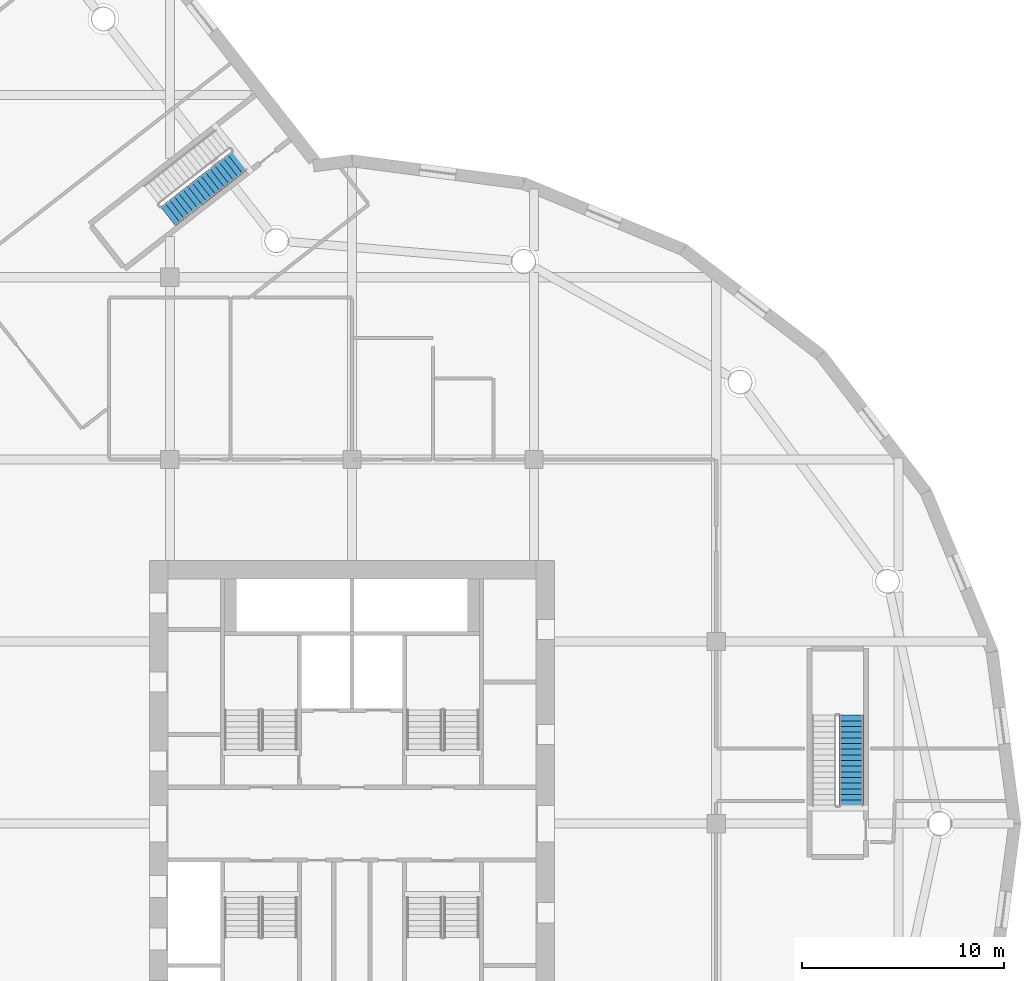
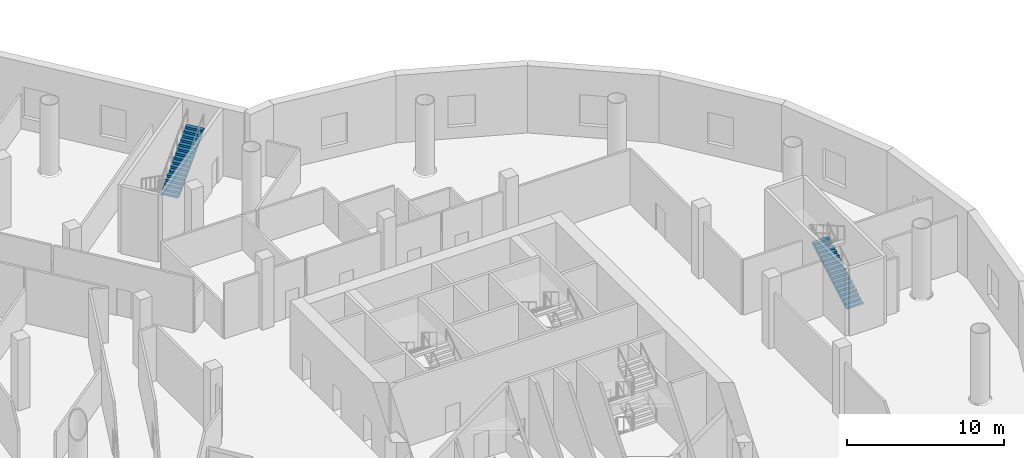
# One storey, part 17 of 23: 2 stair flights, 2 elements without a shape of their own.
"""IFC4 building model written with IfcOpenShell, lengths in metres."""

from ifc_helpers import new_model, si_unit, direction, frame, origin, place, context, subcontext, project, spatial, faceted_brep, material, type_object, element, aggregate, save


model = new_model("IFC4")

# Units and contexts
model_context = context("Model", 3, precision=1e-05, world=origin(), true_north=direction((0.0, 1.0)))
body_context = subcontext(model_context, "Body", "Model", "MODEL_VIEW")
ifc_project = project(units=[si_unit("LENGTHUNIT", "METRE"), si_unit("AREAUNIT", "SQUARE_METRE"), si_unit("VOLUMEUNIT", "CUBIC_METRE"), si_unit("PLANEANGLEUNIT", "RADIAN"), si_unit("MASSUNIT", "GRAM", prefix="KILO")], contexts=[model_context])

# Site, building, storey
site_placement = place(None, origin())
site = spatial("IfcSite", under=ifc_project, at=site_placement, CompositionType="ELEMENT")
building_placement = place(site_placement, origin())
building = spatial("IfcBuilding", under=site, at=building_placement, Name="Tarsis Ring Headquarters", CompositionType="ELEMENT")
storey_placement = place(building_placement, frame((0.0, 0.0, 14.0)))
storey = spatial("IfcBuildingStorey", under=building, at=storey_placement, Name="L02", CompositionType="ELEMENT", Elevation=14.0)

# Stair, stair flight
ifc_material = material(Name="Concrete C40/50", Category="concrete")
stair_type = type_object("IfcStairType", Name="PO-ST", PredefinedType="HALF_TURN_STAIR", material=ifc_material)
stair_1_placement = place(storey_placement, origin())
stair_1 = element("IfcStair", 1, at=stair_1_placement, inside=storey, type_object=stair_type, Name="L02 Podium stair", PredefinedType="HALF_TURN_STAIR")
stair_flight_type = type_object("IfcStairFlightType", Name="PO-STF", PredefinedType="STRAIGHT", material=ifc_material)
stair_flight_1_placement = place(storey_placement, frame((24.675048828125, 0.8798828125, 0.0), z_axis=(0.0, 0.0, 1.0), x_axis=(0.0, 1.0, 0.0)))
stair_flight_1 = element("IfcStairFlight", 2, at=stair_flight_1_placement, type_object=stair_flight_type, Name="Stair PS1 flight 1", NumberOfRisers=17, NumberOfTreads=16, PredefinedType="STRAIGHT", RiserHeight=0.161764706, TreadLength=0.28, context=body_context, shape_type="Brep", body=[
    faceted_brep([(0.0, 0.60009765625, 0.0), (0.0, 0.60009765625, 0.161865234375), (0.280029296875, 0.60009765625, 0.161865234375), (0.280029296875, 0.60009765625, 0.323486328125), (0.56005859375, 0.60009765625, 0.323486328125), (0.56005859375, 0.60009765625, 0.4853515625), (0.840087890625, 0.60009765625, 0.4853515625), (0.840087890625, 0.60009765625, 0.64697265625), (1.1201171875, 0.60009765625, 0.64697265625), (1.1201171875, 0.60009765625, 0.808837890625), (1.39990234375, 0.60009765625, 0.808837890625), (1.39990234375, 0.60009765625, 0.970703125), (1.679931640625, 0.60009765625, 0.970703125), (1.679931640625, 0.60009765625, 1.13232421875), (1.9599609375, 0.60009765625, 1.13232421875), (1.9599609375, 0.60009765625, 1.294189453125), (2.239990234375, 0.60009765625, 1.294189453125), (2.239990234375, 0.60009765625, 1.455810546875), (2.52001953125, 0.60009765625, 1.455810546875), (2.52001953125, 0.60009765625, 1.61767578125), (2.800048828125, 0.60009765625, 1.61767578125), (2.800048828125, 0.60009765625, 1.779296875), (3.080078125, 0.60009765625, 1.779296875), (3.080078125, 0.60009765625, 1.941162109375), (3.360107421875, 0.60009765625, 1.941162109375), (3.360107421875, 0.60009765625, 2.10302734375), (3.639892578125, 0.60009765625, 2.10302734375), (3.639892578125, 0.60009765625, 2.2646484375), (3.919921875, 0.60009765625, 2.2646484375), (3.919921875, 0.60009765625, 2.426513671875), (4.199951171875, 0.60009765625, 2.426513671875), (4.199951171875, 0.60009765625, 2.588134765625), (4.47998046875, 0.60009765625, 2.588134765625), (4.47998046875, 0.60009765625, 2.4150390625), (0.299560546875, 0.60009765625, 0.0), (0.299560546875, -0.60009765625, 0.0), (4.47998046875, -0.60009765625, 2.4150390625), (4.47998046875, -0.60009765625, 2.588134765625), (4.199951171875, -0.60009765625, 2.588134765625), (4.199951171875, -0.60009765625, 2.426513671875), (3.919921875, -0.60009765625, 2.426513671875), (3.919921875, -0.60009765625, 2.2646484375), (3.639892578125, -0.60009765625, 2.2646484375), (3.639892578125, -0.60009765625, 2.10302734375), (3.360107421875, -0.60009765625, 2.10302734375), (3.360107421875, -0.60009765625, 1.941162109375), (3.080078125, -0.60009765625, 1.941162109375), (3.080078125, -0.60009765625, 1.779296875), (2.800048828125, -0.60009765625, 1.779296875), (2.800048828125, -0.60009765625, 1.61767578125), (2.52001953125, -0.60009765625, 1.61767578125), (2.52001953125, -0.60009765625, 1.455810546875), (2.239990234375, -0.60009765625, 1.455810546875), (2.239990234375, -0.60009765625, 1.294189453125), (1.9599609375, -0.60009765625, 1.294189453125), (1.9599609375, -0.60009765625, 1.13232421875), (1.679931640625, -0.60009765625, 1.13232421875), (1.679931640625, -0.60009765625, 0.970703125), (1.39990234375, -0.60009765625, 0.970703125), (1.39990234375, -0.60009765625, 0.808837890625), (1.1201171875, -0.60009765625, 0.808837890625), (1.1201171875, -0.60009765625, 0.64697265625), (0.840087890625, -0.60009765625, 0.64697265625), (0.840087890625, -0.60009765625, 0.4853515625), (0.56005859375, -0.60009765625, 0.4853515625), (0.56005859375, -0.60009765625, 0.323486328125), (0.280029296875, -0.60009765625, 0.323486328125), (0.280029296875, -0.60009765625, 0.161865234375), (0.0, -0.60009765625, 0.161865234375), (0.0, -0.60009765625, 0.0), (0.0, -0.300048828125, 0.161865234375), (0.0, -0.300048828125, 0.0), (0.0, 0.0, 0.161865234375), (0.0, 0.0, 0.0), (0.0, 0.300048828125, 0.161865234375), (0.0, 0.300048828125, 0.0), (0.280029296875, -0.300048828125, 0.161865234375), (0.280029296875, 0.0, 0.161865234375), (0.280029296875, 0.300048828125, 0.161865234375), (0.280029296875, -0.300048828125, 0.323486328125), (0.280029296875, 0.0, 0.323486328125), (0.280029296875, 0.300048828125, 0.323486328125), (0.56005859375, -0.300048828125, 0.323486328125), (0.56005859375, 0.0, 0.323486328125), (0.56005859375, 0.300048828125, 0.323486328125), (0.56005859375, -0.300048828125, 0.4853515625), (0.56005859375, 0.0, 0.4853515625), (0.56005859375, 0.300048828125, 0.4853515625), (0.840087890625, -0.300048828125, 0.4853515625), (0.840087890625, 0.0, 0.4853515625), (0.840087890625, 0.300048828125, 0.4853515625), (0.840087890625, -0.300048828125, 0.64697265625), (0.840087890625, 0.0, 0.64697265625), (0.840087890625, 0.300048828125, 0.64697265625), (1.1201171875, -0.300048828125, 0.64697265625), (1.1201171875, 0.0, 0.64697265625), (1.1201171875, 0.300048828125, 0.64697265625), (1.1201171875, -0.300048828125, 0.808837890625), (1.1201171875, 0.0, 0.808837890625), (1.1201171875, 0.300048828125, 0.808837890625), (1.39990234375, -0.300048828125, 0.808837890625), (1.39990234375, 0.0, 0.808837890625), (1.39990234375, 0.300048828125, 0.808837890625), (1.39990234375, -0.300048828125, 0.970703125), (1.39990234375, 0.0, 0.970703125), (1.39990234375, 0.300048828125, 0.970703125), (1.679931640625, -0.300048828125, 0.970703125), (1.679931640625, 0.0, 0.970703125), (1.679931640625, 0.300048828125, 0.970703125), (1.679931640625, -0.300048828125, 1.13232421875), (1.679931640625, 0.0, 1.13232421875), (1.679931640625, 0.300048828125, 1.13232421875), (1.9599609375, -0.300048828125, 1.13232421875), (1.9599609375, 0.0, 1.13232421875), (1.9599609375, 0.300048828125, 1.13232421875), (1.9599609375, -0.300048828125, 1.294189453125), (1.9599609375, 0.0, 1.294189453125), (1.9599609375, 0.300048828125, 1.294189453125), (2.239990234375, -0.300048828125, 1.294189453125), (2.239990234375, 0.0, 1.294189453125), (2.239990234375, 0.300048828125, 1.294189453125), (2.239990234375, -0.300048828125, 1.455810546875), (2.239990234375, 0.0, 1.455810546875), (2.239990234375, 0.300048828125, 1.455810546875), (2.52001953125, -0.300048828125, 1.455810546875), (2.52001953125, 0.0, 1.455810546875), (2.52001953125, 0.300048828125, 1.455810546875), (2.52001953125, -0.300048828125, 1.61767578125), (2.52001953125, 0.0, 1.61767578125), (2.52001953125, 0.300048828125, 1.61767578125), (2.800048828125, -0.300048828125, 1.61767578125), (2.800048828125, 0.0, 1.61767578125), (2.800048828125, 0.300048828125, 1.61767578125), (2.800048828125, -0.300048828125, 1.779296875), (2.800048828125, 0.0, 1.779296875), (2.800048828125, 0.300048828125, 1.779296875), (3.080078125, -0.300048828125, 1.779296875), (3.080078125, 0.0, 1.779296875), (3.080078125, 0.300048828125, 1.779296875), (3.080078125, -0.300048828125, 1.941162109375), (3.080078125, 0.0, 1.941162109375), (3.080078125, 0.300048828125, 1.941162109375), (3.360107421875, -0.300048828125, 1.941162109375), (3.360107421875, 0.0, 1.941162109375), (3.360107421875, 0.300048828125, 1.941162109375), (3.360107421875, -0.300048828125, 2.10302734375), (3.360107421875, 0.0, 2.10302734375), (3.360107421875, 0.300048828125, 2.10302734375), (3.639892578125, -0.300048828125, 2.10302734375), (3.639892578125, 0.0, 2.10302734375), (3.639892578125, 0.300048828125, 2.10302734375), (3.639892578125, -0.300048828125, 2.2646484375), (3.639892578125, 0.0, 2.2646484375), (3.639892578125, 0.300048828125, 2.2646484375), (3.919921875, -0.300048828125, 2.2646484375), (3.919921875, 0.0, 2.2646484375), (3.919921875, 0.300048828125, 2.2646484375), (3.919921875, -0.300048828125, 2.426513671875), (3.919921875, 0.0, 2.426513671875), (3.919921875, 0.300048828125, 2.426513671875), (4.199951171875, -0.300048828125, 2.426513671875), (4.199951171875, 0.0, 2.426513671875), (4.199951171875, 0.300048828125, 2.426513671875), (4.199951171875, -0.300048828125, 2.588134765625), (4.199951171875, 0.0, 2.588134765625), (4.199951171875, 0.300048828125, 2.588134765625), (4.47998046875, -0.300048828125, 2.588134765625), (4.47998046875, 0.0, 2.588134765625), (4.47998046875, 0.300048828125, 2.588134765625), (4.47998046875, -0.300048828125, 2.4150390625), (4.47998046875, 0.0, 2.4150390625), (4.47998046875, 0.300048828125, 2.4150390625), (0.299560546875, -0.300048828125, 0.0), (0.299560546875, 0.0, 0.0), (0.299560546875, 0.300048828125, 0.0)], [[[0, 1, 2, 3, 4, 5, 6, 7, 8, 9, 10, 11, 12, 13, 14, 15, 16, 17, 18, 19, 20, 21, 22, 23, 24, 25, 26, 27, 28, 29, 30, 31, 32, 33, 34]], [[35, 36, 37, 38, 39, 40, 41, 42, 43, 44, 45, 46, 47, 48, 49, 50, 51, 52, 53, 54, 55, 56, 57, 58, 59, 60, 61, 62, 63, 64, 65, 66, 67, 68, 69]], [[69, 68, 70, 71]], [[71, 70, 72, 73]], [[73, 72, 74, 75]], [[75, 74, 1, 0]], [[68, 67, 76, 70]], [[70, 76, 77, 72]], [[72, 77, 78, 74]], [[74, 78, 2, 1]], [[67, 66, 79, 76]], [[76, 79, 80, 77]], [[77, 80, 81, 78]], [[78, 81, 3, 2]], [[66, 65, 82, 79]], [[79, 82, 83, 80]], [[80, 83, 84, 81]], [[81, 84, 4, 3]], [[65, 64, 85, 82]], [[82, 85, 86, 83]], [[83, 86, 87, 84]], [[84, 87, 5, 4]], [[64, 63, 88, 85]], [[85, 88, 89, 86]], [[86, 89, 90, 87]], [[87, 90, 6, 5]], [[63, 62, 91, 88]], [[88, 91, 92, 89]], [[89, 92, 93, 90]], [[90, 93, 7, 6]], [[62, 61, 94, 91]], [[91, 94, 95, 92]], [[92, 95, 96, 93]], [[93, 96, 8, 7]], [[61, 60, 97, 94]], [[94, 97, 98, 95]], [[95, 98, 99, 96]], [[96, 99, 9, 8]], [[60, 59, 100, 97]], [[97, 100, 101, 98]], [[98, 101, 102, 99]], [[99, 102, 10, 9]], [[59, 58, 103, 100]], [[100, 103, 104, 101]], [[101, 104, 105, 102]], [[102, 105, 11, 10]], [[58, 57, 106, 103]], [[103, 106, 107, 104]], [[104, 107, 108, 105]], [[105, 108, 12, 11]], [[57, 56, 109, 106]], [[106, 109, 110, 107]], [[107, 110, 111, 108]], [[108, 111, 13, 12]], [[56, 55, 112, 109]], [[109, 112, 113, 110]], [[110, 113, 114, 111]], [[111, 114, 14, 13]], [[55, 54, 115, 112]], [[112, 115, 116, 113]], [[113, 116, 117, 114]], [[114, 117, 15, 14]], [[54, 53, 118, 115]], [[115, 118, 119, 116]], [[116, 119, 120, 117]], [[117, 120, 16, 15]], [[53, 52, 121, 118]], [[118, 121, 122, 119]], [[119, 122, 123, 120]], [[120, 123, 17, 16]], [[52, 51, 124, 121]], [[121, 124, 125, 122]], [[122, 125, 126, 123]], [[123, 126, 18, 17]], [[51, 50, 127, 124]], [[124, 127, 128, 125]], [[125, 128, 129, 126]], [[126, 129, 19, 18]], [[50, 49, 130, 127]], [[127, 130, 131, 128]], [[128, 131, 132, 129]], [[129, 132, 20, 19]], [[49, 48, 133, 130]], [[130, 133, 134, 131]], [[131, 134, 135, 132]], [[132, 135, 21, 20]], [[48, 47, 136, 133]], [[133, 136, 137, 134]], [[134, 137, 138, 135]], [[135, 138, 22, 21]], [[47, 46, 139, 136]], [[136, 139, 140, 137]], [[137, 140, 141, 138]], [[138, 141, 23, 22]], [[46, 45, 142, 139]], [[139, 142, 143, 140]], [[140, 143, 144, 141]], [[141, 144, 24, 23]], [[45, 44, 145, 142]], [[142, 145, 146, 143]], [[143, 146, 147, 144]], [[144, 147, 25, 24]], [[44, 43, 148, 145]], [[145, 148, 149, 146]], [[146, 149, 150, 147]], [[147, 150, 26, 25]], [[43, 42, 151, 148]], [[148, 151, 152, 149]], [[149, 152, 153, 150]], [[150, 153, 27, 26]], [[42, 41, 154, 151]], [[151, 154, 155, 152]], [[152, 155, 156, 153]], [[153, 156, 28, 27]], [[41, 40, 157, 154]], [[154, 157, 158, 155]], [[155, 158, 159, 156]], [[156, 159, 29, 28]], [[40, 39, 160, 157]], [[157, 160, 161, 158]], [[158, 161, 162, 159]], [[159, 162, 30, 29]], [[39, 38, 163, 160]], [[160, 163, 164, 161]], [[161, 164, 165, 162]], [[162, 165, 31, 30]], [[38, 37, 166, 163]], [[163, 166, 167, 164]], [[164, 167, 168, 165]], [[165, 168, 32, 31]], [[37, 36, 169, 166]], [[166, 169, 170, 167]], [[167, 170, 171, 168]], [[168, 171, 33, 32]], [[36, 35, 172, 169]], [[169, 172, 173, 170]], [[170, 173, 174, 171]], [[171, 174, 34, 33]], [[35, 69, 71, 172]], [[172, 71, 73, 173]], [[173, 73, 75, 174]], [[174, 75, 0, 34]]]),
])
aggregate(stair_1, [stair_flight_1])

stair_2_placement = place(storey_placement, origin())
stair_2 = element("IfcStair", 3, at=stair_2_placement, inside=storey, type_object=stair_type, Name="L02 Podium stair", PredefinedType="HALF_TURN_STAIR")
stair_flight_2_placement = place(storey_placement, frame((-9.088623046875, 30.01220703125, 2.75), z_axis=(0.0, 0.0, 1.0), x_axis=(0.788276433435, 0.615321269331, 0.0)))
stair_flight_2 = element("IfcStairFlight", 4, at=stair_flight_2_placement, type_object=stair_flight_type, Name="Stair PS3 flight 2", NumberOfRisers=17, NumberOfTreads=16, PredefinedType="STRAIGHT", RiserHeight=0.161764706, TreadLength=0.28, context=body_context, shape_type="Brep", body=[
    faceted_brep([(0.0, 0.60009765625, 0.0), (0.0, 0.60009765625, 0.161865234375), (0.280029296875, 0.60009765625, 0.161865234375), (0.280029296875, 0.60009765625, 0.323486328125), (0.56005859375, 0.60009765625, 0.323486328125), (0.56005859375, 0.60009765625, 0.4853515625), (0.840087890625, 0.60009765625, 0.4853515625), (0.840087890625, 0.60009765625, 0.64697265625), (1.1201171875, 0.60009765625, 0.64697265625), (1.1201171875, 0.60009765625, 0.808837890625), (1.39990234375, 0.60009765625, 0.808837890625), (1.39990234375, 0.60009765625, 0.970703125), (1.679931640625, 0.60009765625, 0.970703125), (1.679931640625, 0.60009765625, 1.13232421875), (1.9599609375, 0.60009765625, 1.13232421875), (1.9599609375, 0.60009765625, 1.294189453125), (2.239990234375, 0.60009765625, 1.294189453125), (2.239990234375, 0.60009765625, 1.455810546875), (2.52001953125, 0.60009765625, 1.455810546875), (2.52001953125, 0.60009765625, 1.61767578125), (2.800048828125, 0.60009765625, 1.61767578125), (2.800048828125, 0.60009765625, 1.779296875), (3.080078125, 0.60009765625, 1.779296875), (3.080078125, 0.60009765625, 1.941162109375), (3.360107421875, 0.60009765625, 1.941162109375), (3.360107421875, 0.60009765625, 2.10302734375), (3.639892578125, 0.60009765625, 2.10302734375), (3.639892578125, 0.60009765625, 2.2646484375), (3.919921875, 0.60009765625, 2.2646484375), (3.919921875, 0.60009765625, 2.426513671875), (4.199951171875, 0.60009765625, 2.426513671875), (4.199951171875, 0.60009765625, 2.588134765625), (4.47998046875, 0.60009765625, 2.588134765625), (4.47998046875, 0.60009765625, 2.4150390625), (0.299560546875, 0.60009765625, 0.0), (0.299560546875, -0.60009765625, 0.0), (4.47998046875, -0.60009765625, 2.4150390625), (4.47998046875, -0.60009765625, 2.588134765625), (4.199951171875, -0.60009765625, 2.588134765625), (4.199951171875, -0.60009765625, 2.426513671875), (3.919921875, -0.60009765625, 2.426513671875), (3.919921875, -0.60009765625, 2.2646484375), (3.639892578125, -0.60009765625, 2.2646484375), (3.639892578125, -0.60009765625, 2.10302734375), (3.360107421875, -0.60009765625, 2.10302734375), (3.360107421875, -0.60009765625, 1.941162109375), (3.080078125, -0.60009765625, 1.941162109375), (3.080078125, -0.60009765625, 1.779296875), (2.800048828125, -0.60009765625, 1.779296875), (2.800048828125, -0.60009765625, 1.61767578125), (2.52001953125, -0.60009765625, 1.61767578125), (2.52001953125, -0.60009765625, 1.455810546875), (2.239990234375, -0.60009765625, 1.455810546875), (2.239990234375, -0.60009765625, 1.294189453125), (1.9599609375, -0.60009765625, 1.294189453125), (1.9599609375, -0.60009765625, 1.13232421875), (1.679931640625, -0.60009765625, 1.13232421875), (1.679931640625, -0.60009765625, 0.970703125), (1.39990234375, -0.60009765625, 0.970703125), (1.39990234375, -0.60009765625, 0.808837890625), (1.1201171875, -0.60009765625, 0.808837890625), (1.1201171875, -0.60009765625, 0.64697265625), (0.840087890625, -0.60009765625, 0.64697265625), (0.840087890625, -0.60009765625, 0.4853515625), (0.56005859375, -0.60009765625, 0.4853515625), (0.56005859375, -0.60009765625, 0.323486328125), (0.280029296875, -0.60009765625, 0.323486328125), (0.280029296875, -0.60009765625, 0.161865234375), (0.0, -0.60009765625, 0.161865234375), (0.0, -0.60009765625, 0.0), (0.0, -0.300048828125, 0.161865234375), (0.0, -0.300048828125, 0.0), (0.0, 0.0, 0.161865234375), (0.0, 0.0, 0.0), (0.0, 0.300048828125, 0.161865234375), (0.0, 0.300048828125, 0.0), (0.280029296875, -0.300048828125, 0.161865234375), (0.280029296875, 0.0, 0.161865234375), (0.280029296875, 0.300048828125, 0.161865234375), (0.280029296875, -0.300048828125, 0.323486328125), (0.280029296875, 0.0, 0.323486328125), (0.280029296875, 0.300048828125, 0.323486328125), (0.56005859375, -0.300048828125, 0.323486328125), (0.56005859375, 0.0, 0.323486328125), (0.56005859375, 0.300048828125, 0.323486328125), (0.56005859375, -0.300048828125, 0.4853515625), (0.56005859375, 0.0, 0.4853515625), (0.56005859375, 0.300048828125, 0.4853515625), (0.840087890625, -0.300048828125, 0.4853515625), (0.840087890625, 0.0, 0.4853515625), (0.840087890625, 0.300048828125, 0.4853515625), (0.840087890625, -0.300048828125, 0.64697265625), (0.840087890625, 0.0, 0.64697265625), (0.840087890625, 0.300048828125, 0.64697265625), (1.1201171875, -0.300048828125, 0.64697265625), (1.1201171875, 0.0, 0.64697265625), (1.1201171875, 0.300048828125, 0.64697265625), (1.1201171875, -0.300048828125, 0.808837890625), (1.1201171875, 0.0, 0.808837890625), (1.1201171875, 0.300048828125, 0.808837890625), (1.39990234375, -0.300048828125, 0.808837890625), (1.39990234375, 0.0, 0.808837890625), (1.39990234375, 0.300048828125, 0.808837890625), (1.39990234375, -0.300048828125, 0.970703125), (1.39990234375, 0.0, 0.970703125), (1.39990234375, 0.300048828125, 0.970703125), (1.679931640625, -0.300048828125, 0.970703125), (1.679931640625, 0.0, 0.970703125), (1.679931640625, 0.300048828125, 0.970703125), (1.679931640625, -0.300048828125, 1.13232421875), (1.679931640625, 0.0, 1.13232421875), (1.679931640625, 0.300048828125, 1.13232421875), (1.9599609375, -0.300048828125, 1.13232421875), (1.9599609375, 0.0, 1.13232421875), (1.9599609375, 0.300048828125, 1.13232421875), (1.9599609375, -0.300048828125, 1.294189453125), (1.9599609375, 0.0, 1.294189453125), (1.9599609375, 0.300048828125, 1.294189453125), (2.239990234375, -0.300048828125, 1.294189453125), (2.239990234375, 0.0, 1.294189453125), (2.239990234375, 0.300048828125, 1.294189453125), (2.239990234375, -0.300048828125, 1.455810546875), (2.239990234375, 0.0, 1.455810546875), (2.239990234375, 0.300048828125, 1.455810546875), (2.52001953125, -0.300048828125, 1.455810546875), (2.52001953125, 0.0, 1.455810546875), (2.52001953125, 0.300048828125, 1.455810546875), (2.52001953125, -0.300048828125, 1.61767578125), (2.52001953125, 0.0, 1.61767578125), (2.52001953125, 0.300048828125, 1.61767578125), (2.800048828125, -0.300048828125, 1.61767578125), (2.800048828125, 0.0, 1.61767578125), (2.800048828125, 0.300048828125, 1.61767578125), (2.800048828125, -0.300048828125, 1.779296875), (2.800048828125, 0.0, 1.779296875), (2.800048828125, 0.300048828125, 1.779296875), (3.080078125, -0.300048828125, 1.779296875), (3.080078125, 0.0, 1.779296875), (3.080078125, 0.300048828125, 1.779296875), (3.080078125, -0.300048828125, 1.941162109375), (3.080078125, 0.0, 1.941162109375), (3.080078125, 0.300048828125, 1.941162109375), (3.360107421875, -0.300048828125, 1.941162109375), (3.360107421875, 0.0, 1.941162109375), (3.360107421875, 0.300048828125, 1.941162109375), (3.360107421875, -0.300048828125, 2.10302734375), (3.360107421875, 0.0, 2.10302734375), (3.360107421875, 0.300048828125, 2.10302734375), (3.639892578125, -0.300048828125, 2.10302734375), (3.639892578125, 0.0, 2.10302734375), (3.639892578125, 0.300048828125, 2.10302734375), (3.639892578125, -0.300048828125, 2.2646484375), (3.639892578125, 0.0, 2.2646484375), (3.639892578125, 0.300048828125, 2.2646484375), (3.919921875, -0.300048828125, 2.2646484375), (3.919921875, 0.0, 2.2646484375), (3.919921875, 0.300048828125, 2.2646484375), (3.919921875, -0.300048828125, 2.426513671875), (3.919921875, 0.0, 2.426513671875), (3.919921875, 0.300048828125, 2.426513671875), (4.199951171875, -0.300048828125, 2.426513671875), (4.199951171875, 0.0, 2.426513671875), (4.199951171875, 0.300048828125, 2.426513671875), (4.199951171875, -0.300048828125, 2.588134765625), (4.199951171875, 0.0, 2.588134765625), (4.199951171875, 0.300048828125, 2.588134765625), (4.47998046875, -0.300048828125, 2.588134765625), (4.47998046875, 0.0, 2.588134765625), (4.47998046875, 0.300048828125, 2.588134765625), (4.47998046875, -0.300048828125, 2.4150390625), (4.47998046875, 0.0, 2.4150390625), (4.47998046875, 0.300048828125, 2.4150390625), (0.299560546875, -0.300048828125, 0.0), (0.299560546875, 0.0, 0.0), (0.299560546875, 0.300048828125, 0.0)], [[[0, 1, 2, 3, 4, 5, 6, 7, 8, 9, 10, 11, 12, 13, 14, 15, 16, 17, 18, 19, 20, 21, 22, 23, 24, 25, 26, 27, 28, 29, 30, 31, 32, 33, 34]], [[35, 36, 37, 38, 39, 40, 41, 42, 43, 44, 45, 46, 47, 48, 49, 50, 51, 52, 53, 54, 55, 56, 57, 58, 59, 60, 61, 62, 63, 64, 65, 66, 67, 68, 69]], [[69, 68, 70, 71]], [[71, 70, 72, 73]], [[73, 72, 74, 75]], [[75, 74, 1, 0]], [[68, 67, 76, 70]], [[70, 76, 77, 72]], [[72, 77, 78, 74]], [[74, 78, 2, 1]], [[67, 66, 79, 76]], [[76, 79, 80, 77]], [[77, 80, 81, 78]], [[78, 81, 3, 2]], [[66, 65, 82, 79]], [[79, 82, 83, 80]], [[80, 83, 84, 81]], [[81, 84, 4, 3]], [[65, 64, 85, 82]], [[82, 85, 86, 83]], [[83, 86, 87, 84]], [[84, 87, 5, 4]], [[64, 63, 88, 85]], [[85, 88, 89, 86]], [[86, 89, 90, 87]], [[87, 90, 6, 5]], [[63, 62, 91, 88]], [[88, 91, 92, 89]], [[89, 92, 93, 90]], [[90, 93, 7, 6]], [[62, 61, 94, 91]], [[91, 94, 95, 92]], [[92, 95, 96, 93]], [[93, 96, 8, 7]], [[61, 60, 97, 94]], [[94, 97, 98, 95]], [[95, 98, 99, 96]], [[96, 99, 9, 8]], [[60, 59, 100, 97]], [[97, 100, 101, 98]], [[98, 101, 102, 99]], [[99, 102, 10, 9]], [[59, 58, 103, 100]], [[100, 103, 104, 101]], [[101, 104, 105, 102]], [[102, 105, 11, 10]], [[58, 57, 106, 103]], [[103, 106, 107, 104]], [[104, 107, 108, 105]], [[105, 108, 12, 11]], [[57, 56, 109, 106]], [[106, 109, 110, 107]], [[107, 110, 111, 108]], [[108, 111, 13, 12]], [[56, 55, 112, 109]], [[109, 112, 113, 110]], [[110, 113, 114, 111]], [[111, 114, 14, 13]], [[55, 54, 115, 112]], [[112, 115, 116, 113]], [[113, 116, 117, 114]], [[114, 117, 15, 14]], [[54, 53, 118, 115]], [[115, 118, 119, 116]], [[116, 119, 120, 117]], [[117, 120, 16, 15]], [[53, 52, 121, 118]], [[118, 121, 122, 119]], [[119, 122, 123, 120]], [[120, 123, 17, 16]], [[52, 51, 124, 121]], [[121, 124, 125, 122]], [[122, 125, 126, 123]], [[123, 126, 18, 17]], [[51, 50, 127, 124]], [[124, 127, 128, 125]], [[125, 128, 129, 126]], [[126, 129, 19, 18]], [[50, 49, 130, 127]], [[127, 130, 131, 128]], [[128, 131, 132, 129]], [[129, 132, 20, 19]], [[49, 48, 133, 130]], [[130, 133, 134, 131]], [[131, 134, 135, 132]], [[132, 135, 21, 20]], [[48, 47, 136, 133]], [[133, 136, 137, 134]], [[134, 137, 138, 135]], [[135, 138, 22, 21]], [[47, 46, 139, 136]], [[136, 139, 140, 137]], [[137, 140, 141, 138]], [[138, 141, 23, 22]], [[46, 45, 142, 139]], [[139, 142, 143, 140]], [[140, 143, 144, 141]], [[141, 144, 24, 23]], [[45, 44, 145, 142]], [[142, 145, 146, 143]], [[143, 146, 147, 144]], [[144, 147, 25, 24]], [[44, 43, 148, 145]], [[145, 148, 149, 146]], [[146, 149, 150, 147]], [[147, 150, 26, 25]], [[43, 42, 151, 148]], [[148, 151, 152, 149]], [[149, 152, 153, 150]], [[150, 153, 27, 26]], [[42, 41, 154, 151]], [[151, 154, 155, 152]], [[152, 155, 156, 153]], [[153, 156, 28, 27]], [[41, 40, 157, 154]], [[154, 157, 158, 155]], [[155, 158, 159, 156]], [[156, 159, 29, 28]], [[40, 39, 160, 157]], [[157, 160, 161, 158]], [[158, 161, 162, 159]], [[159, 162, 30, 29]], [[39, 38, 163, 160]], [[160, 163, 164, 161]], [[161, 164, 165, 162]], [[162, 165, 31, 30]], [[38, 37, 166, 163]], [[163, 166, 167, 164]], [[164, 167, 168, 165]], [[165, 168, 32, 31]], [[37, 36, 169, 166]], [[166, 169, 170, 167]], [[167, 170, 171, 168]], [[168, 171, 33, 32]], [[36, 35, 172, 169]], [[169, 172, 173, 170]], [[170, 173, 174, 171]], [[171, 174, 34, 33]], [[35, 69, 71, 172]], [[172, 71, 73, 173]], [[173, 73, 75, 174]], [[174, 75, 0, 34]]]),
])
aggregate(stair_2, [stair_flight_2])

save(model, "model.ifc")
